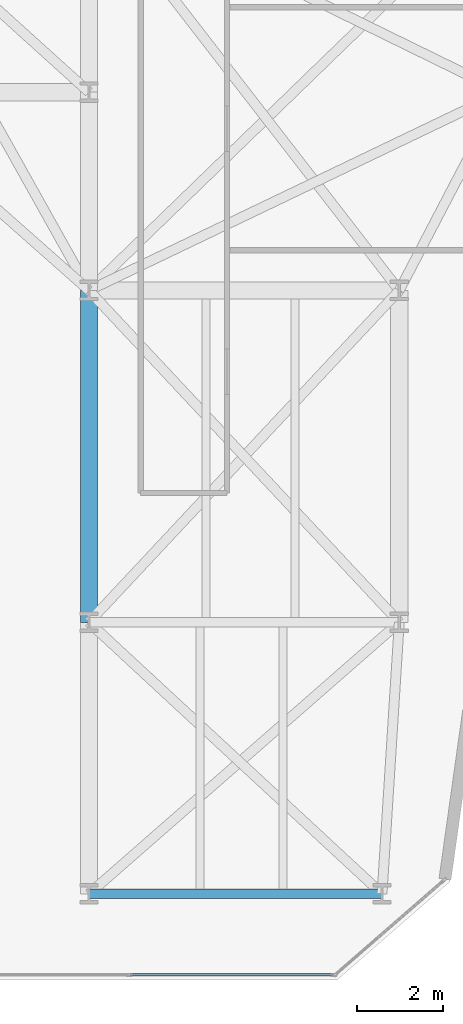
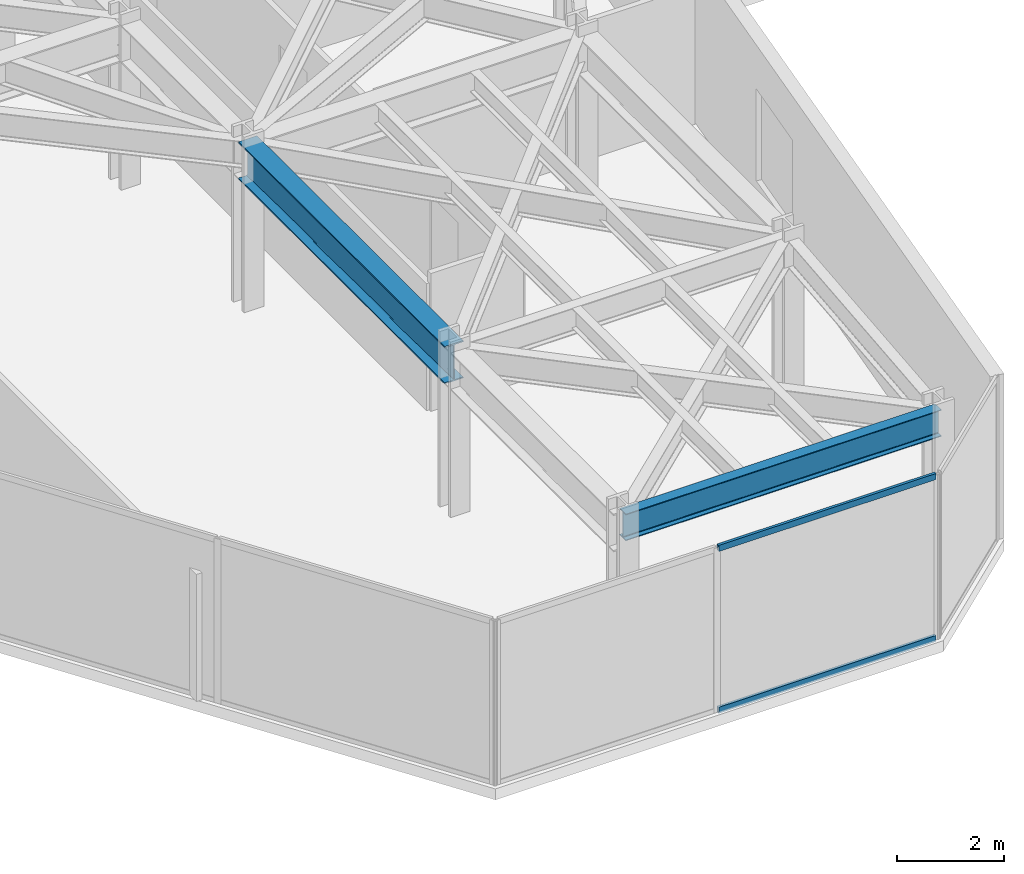
# One storey, part 12 of 20: 2 beams, 2 members, 1 element without a shape of its own.
"""IFC4 building model written with IfcOpenShell, lengths in metres."""

import ifcopenshell
import ifcopenshell.guid

model = None  # the IFC model being written
_history = None  # IfcOwnerHistory: only IFC2X3 demands one
_inside = {}  # id of a spatial element -> (the spatial element, [elements in it])
_under = {}  # id of a project, library or spatial element -> (it, [spatial elements below it])
_declared = {}  # id of a project -> (the project, [libraries it declares])
_typed = {}  # id of a type object -> (the type object, [elements of that type])
_made_of = {}  # id of a material, layer set ... -> (it, [elements and type objects made of it])


def new_model(schema):
    """Start an empty IFC model of exactly this schema.

    Asked for "IFC4X3", IfcOpenShell would pick the latest addendum, in which some entities
    have other attributes; the version numbers below select the first issue.
    IFC2X3 requires an IfcOwnerHistory on every rooted entity: one is made here for all.
    """
    global model, _history
    if schema == "IFC4X3":
        model = ifcopenshell.file(schema_version=(4, 3, 0, 0))
    else:
        model = ifcopenshell.file(schema=schema)
    _inside.clear()
    _under.clear()
    _declared.clear()
    _typed.clear()
    _made_of.clear()
    _history = None
    if model.schema == "IFC2X3":
        org = make("IfcOrganization", Name="unknown")
        user = make(
            "IfcPersonAndOrganization",
            ThePerson=make("IfcPerson", FamilyName="unknown"),
            TheOrganization=org,
        )
        app = make(
            "IfcApplication",
            ApplicationDeveloper=org,
            Version="unknown",
            ApplicationFullName="unknown",
            ApplicationIdentifier="unknown",
        )
        _history = make(
            "IfcOwnerHistory",
            OwningUser=user,
            OwningApplication=app,
            ChangeAction="ADDED",
            CreationDate=0,
        )
    return model


def make(cls, **values):
    """One entity of the class cls with the attributes given. An attribute that is None is left unset."""
    return model.create_entity(
        cls, **{name: value for name, value in values.items() if value is not None}
    )


def rooted(cls, **values):
    """An entity with a GlobalId (a new one), such as an element, a storey or a relation."""
    return make(cls, GlobalId=ifcopenshell.guid.new(), OwnerHistory=_history, **values)


def si_unit(unit_type, name, prefix=None):
    """IfcSIUnit, for example si_unit("LENGTHUNIT", "METRE", prefix="MILLI")."""
    return make("IfcSIUnit", UnitType=unit_type, Prefix=prefix, Name=name)


def assignment(units):
    """IfcUnitAssignment: the units of a project."""
    return None if units is None else make("IfcUnitAssignment", Units=units)


def point(xyz):
    """IfcCartesianPoint."""
    return None if xyz is None else make("IfcCartesianPoint", Coordinates=xyz)


def direction(xyz):
    """IfcDirection."""
    return None if xyz is None else make("IfcDirection", DirectionRatios=xyz)


def frame(location, z_axis=None, x_axis=None):
    """IfcAxis2Placement3D, a coordinate frame: its origin and axes. An axis left out is left unset."""
    return make(
        "IfcAxis2Placement3D",
        Location=point(location),
        Axis=direction(z_axis),
        RefDirection=direction(x_axis),
    )


def frame_2d(location, x_axis=None):
    """IfcAxis2Placement2D, a coordinate frame in the plane: its origin and x axis."""
    return make(
        "IfcAxis2Placement2D", Location=point(location), RefDirection=direction(x_axis)
    )


def origin():
    """The frame at (0, 0, 0) with its axes left unset."""
    return frame((0.0, 0.0, 0.0))


def origin_2d():
    """The frame at (0, 0) in the plane with its x axis left unset."""
    return frame_2d((0.0, 0.0))


def place(relative_to, where):
    """IfcLocalPlacement: puts the frame where relative to a parent placement (None: the world)."""
    return make(
        "IfcLocalPlacement", PlacementRelTo=relative_to, RelativePlacement=where
    )


def context(
    kind, dimensions, precision=None, world=None, true_north=None, identifier=None
):
    """IfcGeometricRepresentationContext, for example the 3D "Model" context."""
    return make(
        "IfcGeometricRepresentationContext",
        ContextIdentifier=identifier,
        ContextType=kind,
        CoordinateSpaceDimension=dimensions,
        Precision=precision,
        WorldCoordinateSystem=world,
        TrueNorth=true_north,
    )


def subcontext(parent, identifier, kind, view, scale=None):
    """IfcGeometricRepresentationSubContext, for example "Body" below "Model"."""
    return make(
        "IfcGeometricRepresentationSubContext",
        ContextIdentifier=identifier,
        ContextType=kind,
        ParentContext=parent,
        TargetScale=scale,
        TargetView=view,
    )


def project(units=None, contexts=None):
    """IfcProject with its units and contexts."""
    return rooted(
        "IfcProject",
        Name="project",
        RepresentationContexts=contexts,
        UnitsInContext=assignment(units),
    )


def spatial(cls, under=None, at=None, **own):
    """A site, building, storey or space (cls), placed at a placement, below another one or the project."""
    s = rooted(cls, ObjectPlacement=at, **own)
    if under is not None:
        _under.setdefault(under.id(), (under, []))[1].append(s)
    return s


def profile(cls, at=None, kind="AREA", **sizes):
    """A parametric profile (cls). Its sizes go by their IFC names, for example OverallWidth=200.0."""
    return make(cls, ProfileType=kind, Position=at, **sizes)


def hollow_rectangle(**sizes):
    """IfcRectangleHollowProfileDef."""
    return profile("IfcRectangleHollowProfileDef", **sizes)


def i_section(**sizes):
    """IfcIShapeProfileDef."""
    return profile("IfcIShapeProfileDef", **sizes)


def extrude(swept, where, along, depth):
    """IfcExtrudedAreaSolid: the profile swept, set in the frame where, extruded along a direction by depth."""
    return make(
        "IfcExtrudedAreaSolid",
        SweptArea=swept,
        Position=where,
        ExtrudedDirection=direction(along),
        Depth=depth,
    )


def shape(context_of_items, identifier, shape_type, items):
    """IfcShapeRepresentation: the items that make up one representation, for example the "Body"."""
    return make(
        "IfcShapeRepresentation",
        ContextOfItems=context_of_items,
        RepresentationIdentifier=identifier,
        RepresentationType=shape_type,
        Items=items,
    )


def material(Name=None, Category=None):
    """IfcMaterial."""
    return make("IfcMaterial", Name=Name, Category=Category)


def layer(
    of_material, thickness, ventilated=None, Name=None, Category=None, Priority=None
):
    """IfcMaterialLayer: one layer of a wall or slab, of a material (None: an air gap)."""
    return make(
        "IfcMaterialLayer",
        Material=of_material,
        LayerThickness=thickness,
        IsVentilated=ventilated,
        Name=Name,
        Category=Category,
        Priority=Priority,
    )


def layer_set(layers, Name=None):
    """IfcMaterialLayerSet."""
    return make("IfcMaterialLayerSet", MaterialLayers=layers, LayerSetName=Name)


def material_profile(
    of_material, cross_section, Name=None, Category=None, Priority=None
):
    """IfcMaterialProfile: a cross section and its material."""
    return make(
        "IfcMaterialProfile",
        Name=Name,
        Material=of_material,
        Profile=cross_section,
        Priority=Priority,
        Category=Category,
    )


def profile_set(profiles, Name=None, composite=None):
    """IfcMaterialProfileSet."""
    return make(
        "IfcMaterialProfileSet",
        Name=Name,
        MaterialProfiles=profiles,
        CompositeProfile=composite,
    )


def made_of(thing, what):
    """Note that an element or type object is made of a material, layer set ...; save() writes the relation."""
    if what is not None:
        _made_of.setdefault(what.id(), (what, []))[1].append(thing)
    return thing


def type_object(cls, material=None, **own):
    """A type object (cls), such as IfcWallType, which elements share."""
    return made_of(rooted(cls, **own), material)


def element(
    cls,
    number,
    at=None,
    inside=None,
    cuts=None,
    type_object=None,
    material=None,
    context=None,
    identifier="Body",
    shape_type=None,
    held_by="IfcProductDefinitionShape",
    body=None,
    shapes=None,
    **own,
):
    """One element of the class cls, such as IfcWall. Its Tag is "e" and its number.

    at: its placement. inside: the storey or other place that contains it. cuts: it is an
    opening in that element (IfcRelVoidsElement). A single representation is given by context,
    identifier, shape_type and body (its items); several are given by shapes. held_by: the class
    of the entity that holds the representations. save() writes the other relations.
    """
    e = rooted(cls, Tag="e%d" % number, ObjectPlacement=at, **own)
    if body is not None:
        shapes = [shape(context, identifier, shape_type, body)]
    if shapes is not None:
        e.Representation = make(held_by, Representations=shapes)
    if inside is not None:
        _inside.setdefault(inside.id(), (inside, []))[1].append(e)
    if cuts is not None:
        rooted(
            "IfcRelVoidsElement", RelatingBuildingElement=cuts, RelatedOpeningElement=e
        )
    if type_object is not None:
        _typed.setdefault(type_object.id(), (type_object, []))[1].append(e)
    return made_of(e, material)


def aggregate(whole, parts):
    """IfcRelAggregates: a whole, such as a stair, and the parts it consists of."""
    return rooted("IfcRelAggregates", RelatingObject=whole, RelatedObjects=parts)


def save(model, path):
    """Write the relations noted so far, then the file.

    IfcRelAggregates (storeys below a building ...), IfcRelContainedInSpatialStructure (elements
    in a storey), IfcRelDefinesByType, IfcRelAssociatesMaterial and IfcRelDeclares: one each for
    every whole, place, type object, material and project.
    """
    for whole, parts in _under.values():
        aggregate(whole, parts)
    for where, things in _inside.values():
        rooted(
            "IfcRelContainedInSpatialStructure",
            RelatedElements=things,
            RelatingStructure=where,
        )
    for kind, things in _typed.values():
        rooted("IfcRelDefinesByType", RelatedObjects=things, RelatingType=kind)
    for what, things in _made_of.values():
        rooted("IfcRelAssociatesMaterial", RelatedObjects=things, RelatingMaterial=what)
    for by, libraries in _declared.values():
        rooted("IfcRelDeclares", RelatingContext=by, RelatedDefinitions=libraries)
    model.write(path)


model = new_model("IFC4")

# Units and contexts
model_context = context("Model", 3, precision=1e-05, world=origin(), true_north=direction((0.0, 1.0)))
body_context = subcontext(model_context, "Body", "Model", "MODEL_VIEW")
ifc_project = project(units=[si_unit("LENGTHUNIT", "METRE"), si_unit("AREAUNIT", "SQUARE_METRE"), si_unit("VOLUMEUNIT", "CUBIC_METRE"), si_unit("PLANEANGLEUNIT", "RADIAN"), si_unit("MASSUNIT", "GRAM", prefix="KILO")], contexts=[model_context])

# Site, building, storey
site_placement = place(None, origin())
site = spatial("IfcSite", under=ifc_project, at=site_placement, CompositionType="ELEMENT")
building_placement = place(site_placement, origin())
building = spatial("IfcBuilding", under=site, at=building_placement, Name="Kravanh Interchange Tower", CompositionType="ELEMENT")
storey_placement = place(building_placement, frame((0.0, 0.0, 104.0)))
storey = spatial("IfcBuildingStorey", under=building, at=storey_placement, Name="L24", CompositionType="ELEMENT", Elevation=104.0)

# Curtain wall, members
ifc_material_1 = material(Name="Anodised Bronze Aluminium", Category="aluminium")
ifc_layer = layer(ifc_material_1, 0.179931640625)
ifc_layer_set = layer_set([ifc_layer], Name="Unitised Curtain Wall System CW-Z2 Mid Office")
curtain_wall_type = type_object("IfcCurtainWallType", Name="Unitised Curtain Wall System CW-Z2 Mid Office", PredefinedType="NOTDEFINED", material=ifc_layer_set)
curtain_wall_placement = place(storey_placement, origin())
curtain_wall = element("IfcCurtainWall", 1, at=curtain_wall_placement, inside=storey, type_object=curtain_wall_type, Name="L24 Unitised Curtain Wall CW-L24-02", PredefinedType="NOTDEFINED")
ifc_material_2 = material(Name="Anodised Bronze Aluminium", Category="aluminium")
ifc_material_profile_1 = material_profile(ifc_material_2, hollow_rectangle(XDim=0.06005859375, YDim=0.139892578125, WallThickness=0.00390625, at=origin_2d()), Name="ALU60X140X4")
ifc_profile_set_1 = profile_set([ifc_material_profile_1], Name="Anodised Bronze Aluminium")
member_type = type_object("IfcMemberType", Name="Curtain Wall Transom ALU60X140X4 Bronze", PredefinedType="USERDEFINED", material=ifc_profile_set_1)
member_1_placement = place(storey_placement, frame((61.650146484375, 6.320068359375, 0.030029296875), z_axis=(-1.0, 0.0, 0.0), x_axis=(0.0, -1.0, 0.0)))
member_1 = element("IfcMember", 2, at=member_1_placement, type_object=member_type, Name="CW-Z2 transom 1.1", ObjectType="TRANSOM", PredefinedType="USERDEFINED", context=body_context, shape_type="SweptSolid", body=[
    extrude(hollow_rectangle(XDim=0.06005859375, YDim=0.139892578125, WallThickness=0.00390625, at=origin_2d()), origin(), (0.0, 0.0, 1.0), 4.68212890625),
])
member_2_placement = place(storey_placement, frame((61.650146484375, 6.320068359375, 3.719970703125), z_axis=(-1.0, 0.0, 0.0), x_axis=(0.0, -1.0, 0.0)))
member_2 = element("IfcMember", 3, at=member_2_placement, type_object=member_type, Name="CW-Z2 transom 1.2", ObjectType="TRANSOM", PredefinedType="USERDEFINED", context=body_context, shape_type="SweptSolid", body=[
    extrude(hollow_rectangle(XDim=0.06005859375, YDim=0.139892578125, WallThickness=0.00390625, at=origin_2d()), origin(), (0.0, 0.0, 1.0), 4.68212890625),
])
aggregate(curtain_wall, [member_1, member_2])

# Beams
ifc_material_3 = material(Name="Structural Steel S355", Category="steel")
ifc_material_profile_2 = material_profile(ifc_material_3, i_section(OverallWidth=0.39990234375, OverallDepth=0.85595703125, WebThickness=0.018310546875, FlangeThickness=0.029296875, FilletRadius=0.02490234375, at=origin_2d()), Name="W33X201")
ifc_profile_set_2 = profile_set([ifc_material_profile_2], Name="Structural Steel S355")
beam_type_1 = type_object("IfcBeamType", Name="Floor Beam W33X201 Structural Steel S355", PredefinedType="BEAM", material=ifc_profile_set_2)
beam_1_placement = place(storey_placement, frame((56.0, 14.5, 3.322021484375), z_axis=(0.0, 1.0, 0.0), x_axis=(-1.0, 0.0, 0.0)))
element("IfcBeam", 4, at=beam_1_placement, inside=storey, type_object=beam_type_1, Name="L24 Primary Floor Girder 104", PredefinedType="BEAM", context=body_context, shape_type="SweptSolid", body=[
    extrude(i_section(OverallWidth=0.39990234375, OverallDepth=0.85595703125, WebThickness=0.018310546875, FlangeThickness=0.029296875, FilletRadius=0.02490234375, at=origin_2d()), origin(), (0.0, 0.0, 1.0), 7.699951171875),
])
ifc_material_4 = material(Name="Structural Steel S355", Category="steel")
ifc_material_profile_3 = material_profile(ifc_material_4, i_section(OverallWidth=0.22802734375, OverallDepth=0.60791015625, WebThickness=0.01123046875, FlangeThickness=0.017333984375, FilletRadius=0.02197265625, at=origin_2d()), Name="W24X76")
ifc_profile_set_3 = profile_set([ifc_material_profile_3], Name="Structural Steel S355")
beam_type_2 = type_object("IfcBeamType", Name="Floor Spandrel W24X76 Structural Steel S355", PredefinedType="SPANDREL", material=ifc_profile_set_3)
beam_2_placement = place(storey_placement, frame((56.0, 8.199951171875, 3.446044921875), z_axis=(1.0, 0.0, 0.0), x_axis=(0.0, 1.0, 0.0)))
element("IfcBeam", 5, at=beam_2_placement, inside=storey, type_object=beam_type_2, Name="L24 Perimeter Spandrel 96", PredefinedType="SPANDREL", context=body_context, shape_type="SweptSolid", body=[
    extrude(i_section(OverallWidth=0.22802734375, OverallDepth=0.60791015625, WebThickness=0.01123046875, FlangeThickness=0.017333984375, FilletRadius=0.02197265625, at=origin_2d()), origin(), (0.0, 0.0, 1.0), 6.800048828125),
])

save(model, "model.ifc")
